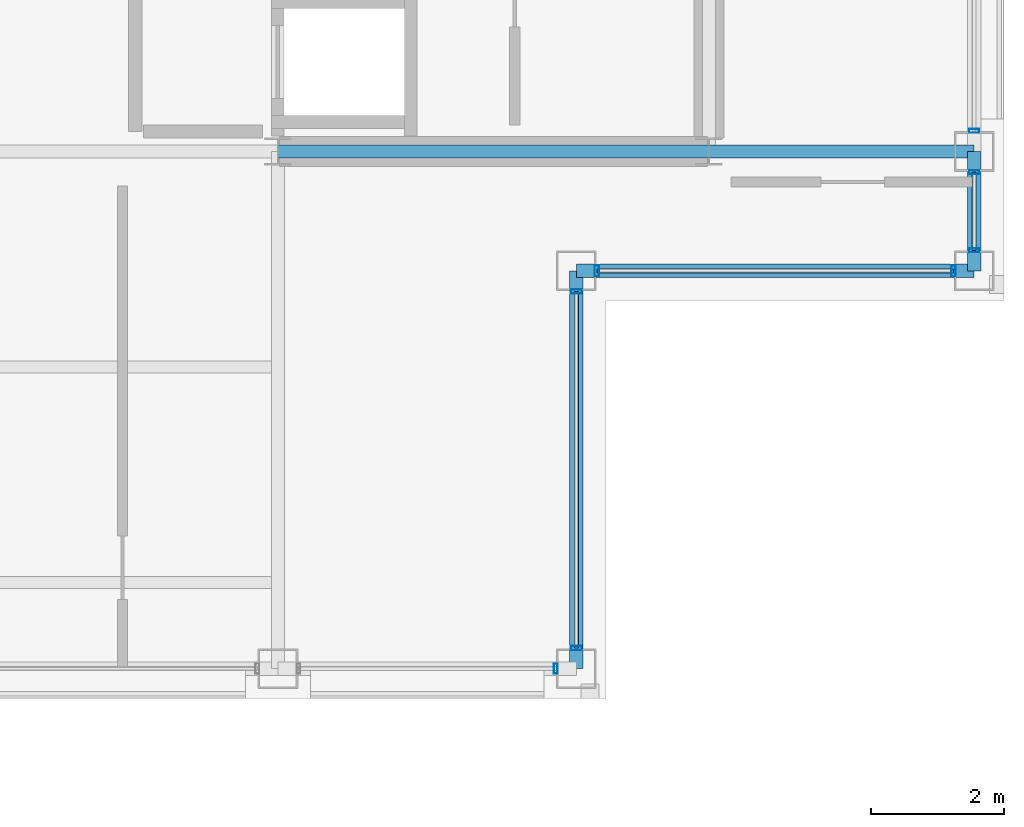
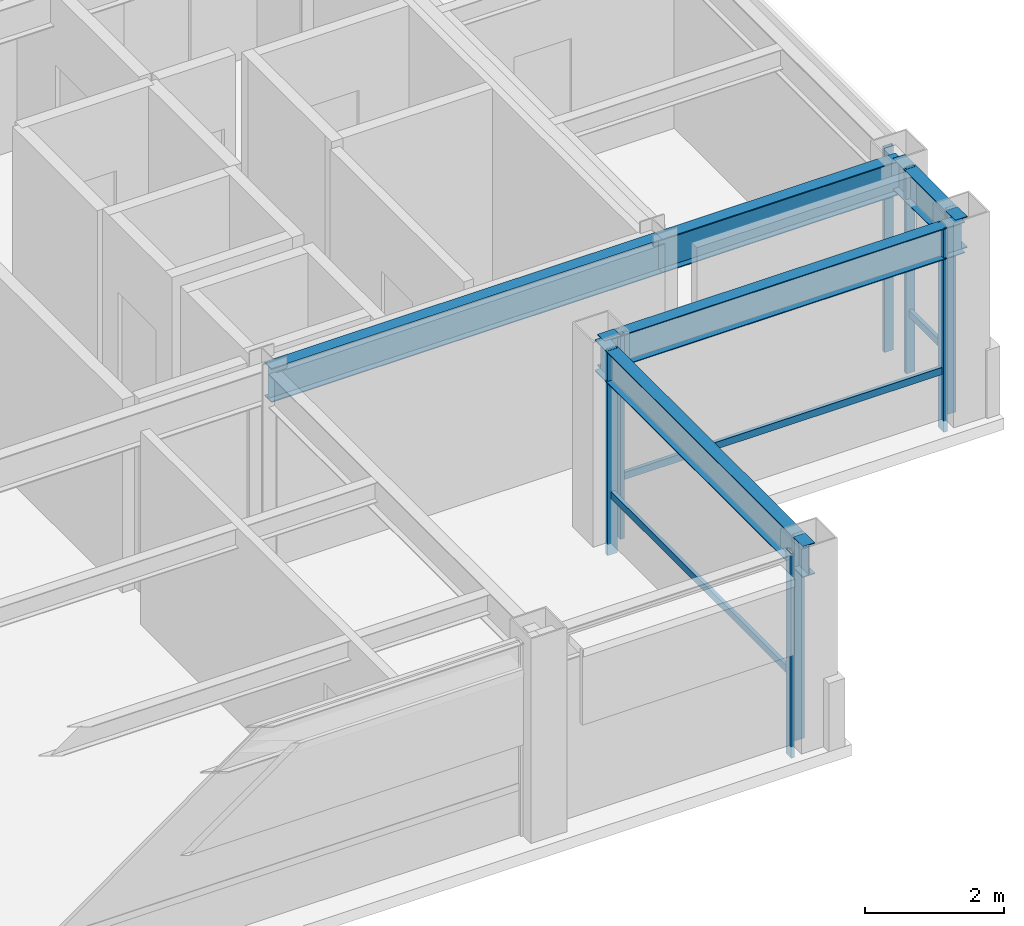
# One storey, part 14 of 27: 11 members, 5 beams, 5 elements without a shape of their own.
"""IFC4 building model written with IfcOpenShell, lengths in metres."""

from ifc_helpers import new_model, si_unit, direction, frame, origin, origin_2d, place, context, subcontext, project, spatial, hollow_rectangle, i_section, extrude, material, layer, layer_set, material_profile, profile_set, type_object, element, aggregate, save


model = new_model("IFC4")

# Units and contexts
model_context = context("Model", 3, precision=1e-05, world=origin(), true_north=direction((0.0, 1.0)))
body_context = subcontext(model_context, "Body", "Model", "MODEL_VIEW")
ifc_project = project(units=[si_unit("LENGTHUNIT", "METRE"), si_unit("AREAUNIT", "SQUARE_METRE"), si_unit("VOLUMEUNIT", "CUBIC_METRE"), si_unit("PLANEANGLEUNIT", "RADIAN"), si_unit("MASSUNIT", "GRAM", prefix="KILO")], contexts=[model_context])

# Site, building, storey
site_placement = place(None, origin())
site = spatial("IfcSite", under=ifc_project, at=site_placement, CompositionType="ELEMENT")
building_placement = place(site_placement, origin())
building = spatial("IfcBuilding", under=site, at=building_placement, Name="Brelmoor Portico Tower", CompositionType="ELEMENT")
storey_placement = place(building_placement, frame((0.0, 0.0, 250.800048828125)))
storey = spatial("IfcBuildingStorey", under=building, at=storey_placement, Name="L66", CompositionType="ELEMENT", Elevation=250.800048828125)

# Beams
ifc_material_1 = material(Name="Steel Q355B", Category="steel")
ifc_material_profile_1 = material_profile(ifc_material_1, i_section(OverallWidth=0.199951171875, OverallDepth=0.60009765625, WebThickness=0.010986328125, FlangeThickness=0.01708984375, at=origin_2d()), Name="HN 600x200x11x17")
ifc_profile_set_1 = profile_set([ifc_material_profile_1], Name="Steel Q355B")
beam_type_1 = type_object("IfcBeamType", Name="BM-PG-600", PredefinedType="BEAM", material=ifc_profile_set_1)
beam_1_placement = place(storey_placement, frame((8.050048828125, -9.75, 3.099853515625), z_axis=(1.0, 0.0, 0.0), x_axis=(0.0, 1.0, 0.0)))
element("IfcBeam", 1, at=beam_1_placement, inside=storey, type_object=beam_type_1, Name="L66 Primary Floor Girder PG-14", PredefinedType="BEAM", context=body_context, shape_type="SweptSolid", body=[
    extrude(i_section(OverallWidth=0.199951171875, OverallDepth=0.60009765625, WebThickness=0.010986328125, FlangeThickness=0.01708984375, at=origin_2d()), origin(), (0.0, 0.0, 1.0), 6.5),
])
beam_2_placement = place(storey_placement, frame((14.550048828125, -9.75, 3.099853515625), z_axis=(1.0, 0.0, 0.0), x_axis=(0.0, 1.0, 0.0)))
element("IfcBeam", 2, at=beam_2_placement, inside=storey, type_object=beam_type_1, Name="L66 Primary Floor Girder PG-15", PredefinedType="BEAM", context=body_context, shape_type="SweptSolid", body=[
    extrude(i_section(OverallWidth=0.199951171875, OverallDepth=0.60009765625, WebThickness=0.010986328125, FlangeThickness=0.01708984375, at=origin_2d()), origin(), (0.0, 0.0, 1.0), 4.0),
])
ifc_material_profile_2 = material_profile(ifc_material_1, i_section(OverallWidth=0.199951171875, OverallDepth=0.550048828125, WebThickness=0.010009765625, FlangeThickness=0.01611328125, at=origin_2d()), Name="HN 550x200x10x16")
ifc_profile_set_2 = profile_set([ifc_material_profile_2], Name="Steel Q355B")
beam_type_2 = type_object("IfcBeamType", Name="BM-SP-550", PredefinedType="SPANDREL", material=ifc_profile_set_2)
for number, where, z_axis, x_axis, name in (
    (3, (12.550048828125, -11.550048828125, 3.125), (1.0, 0.0, 0.0), (0.0, 1.0, 0.0), "L66 Perimeter Spandrel Beam SP-05"),
    (4, (12.550048828125, -17.550048828125, 3.125), (0.0, 1.0, 0.0), (-1.0, 0.0, 0.0), "L66 Perimeter Spandrel Beam SP-16"),
):
    element("IfcBeam", number, at=place(storey_placement, frame(where, z_axis=z_axis, x_axis=x_axis)), inside=storey, type_object=beam_type_2, Name=name, PredefinedType="SPANDREL", context=body_context, shape_type="SweptSolid", body=[
        extrude(i_section(OverallWidth=0.199951171875, OverallDepth=0.550048828125, WebThickness=0.010009765625, FlangeThickness=0.01611328125, at=origin_2d()), origin(), (0.0, 0.0, 1.0), 6.0),
    ])
beam_3_placement = place(storey_placement, frame((18.550048828125, -11.550048828125, 3.125), z_axis=(0.0, 1.0, 0.0), x_axis=(-1.0, 0.0, 0.0)))
element("IfcBeam", 5, at=beam_3_placement, inside=storey, type_object=beam_type_2, Name="L66 Perimeter Spandrel Beam SP-18", PredefinedType="SPANDREL", context=body_context, shape_type="SweptSolid", body=[
    extrude(i_section(OverallWidth=0.199951171875, OverallDepth=0.550048828125, WebThickness=0.010009765625, FlangeThickness=0.01611328125, at=origin_2d()), origin(), (0.0, 0.0, 1.0), 1.800048828125),
])

# Curtain wall, member
ifc_material_2 = material(Name="Anodised Aluminium Alloy 6063-T6", Category="aluminium")
ifc_layer_1 = layer(ifc_material_2, 0.179931640625)
ifc_layer_set_1 = layer_set([ifc_layer_1], Name="Anodised Aluminium Alloy 6063-T6")
curtain_wall_type_1 = type_object("IfcCurtainWallType", Name="CW-TOWER-Z4-XB", PredefinedType="NOTDEFINED", material=ifc_layer_set_1)
curtain_wall_1_placement = place(storey_placement, origin())
curtain_wall_1 = element("IfcCurtainWall", 6, at=curtain_wall_1_placement, inside=storey, type_object=curtain_wall_type_1, Name="L66 Curtain Wall CW-L66-1R-2", PredefinedType="NOTDEFINED")
ifc_material_profile_3 = material_profile(ifc_material_2, hollow_rectangle(XDim=0.06005859375, YDim=0.14990234375, WallThickness=0.00390625, at=origin_2d()), Name="ALU MULLION 60x150")
ifc_profile_set_3 = profile_set([ifc_material_profile_3], Name="Anodised Aluminium Alloy 6063-T6")
member_type_1 = type_object("IfcMemberType", Name="MB-CW-MULL-150", PredefinedType="MULLION", material=ifc_profile_set_3)
member_1_placement = place(storey_placement, frame((12.239990234375, -17.550048828125, -0.199951171875), z_axis=(0.0, 0.0, 1.0), x_axis=(1.0, 0.0, 0.0)))
member_1 = element("IfcMember", 7, at=member_1_placement, type_object=member_type_1, Name="CW-L66-1R-2 Mullion 01", PredefinedType="MULLION", context=body_context, shape_type="SweptSolid", body=[
    extrude(hollow_rectangle(XDim=0.06005859375, YDim=0.14990234375, WallThickness=0.00390625, at=origin_2d()), origin(), (0.0, 0.0, 1.0), 3.599853515625),
])
aggregate(curtain_wall_1, [member_1])

# Curtain wall, members
ifc_layer_2 = layer(ifc_material_2, 0.179931640625)
ifc_layer_set_2 = layer_set([ifc_layer_2], Name="Anodised Aluminium Alloy 6063-T6")
curtain_wall_type_2 = type_object("IfcCurtainWallType", Name="CW-TOWER-Z4", PredefinedType="NOTDEFINED", material=ifc_layer_set_2)
curtain_wall_2_placement = place(storey_placement, origin())
curtain_wall_2 = element("IfcCurtainWall", 8, at=curtain_wall_2_placement, inside=storey, type_object=curtain_wall_type_2, Name="L66 Curtain Wall CW-L66-04-1", PredefinedType="NOTDEFINED")
member_2_placement = place(storey_placement, frame((18.550048828125, -11.239990234375, -0.199951171875), z_axis=(0.0, 0.0, 1.0), x_axis=(0.0, 1.0, 0.0)))
member_2 = element("IfcMember", 9, at=member_2_placement, type_object=member_type_1, Name="CW-L66-04-1 Mullion 00", PredefinedType="MULLION", context=body_context, shape_type="SweptSolid", body=[
    extrude(hollow_rectangle(XDim=0.06005859375, YDim=0.14990234375, WallThickness=0.00390625, at=origin_2d()), origin(), (0.0, 0.0, 1.0), 3.599853515625),
])
member_3_placement = place(storey_placement, frame((18.550048828125, -10.06005859375, -0.199951171875), z_axis=(0.0, 0.0, 1.0), x_axis=(0.0, 1.0, 0.0)))
member_3 = element("IfcMember", 10, at=member_3_placement, type_object=member_type_1, Name="CW-L66-04-1 Mullion 01", PredefinedType="MULLION", context=body_context, shape_type="SweptSolid", body=[
    extrude(hollow_rectangle(XDim=0.06005859375, YDim=0.14990234375, WallThickness=0.00390625, at=origin_2d()), origin(), (0.0, 0.0, 1.0), 3.599853515625),
])

# Curtain wall, member
curtain_wall_3_placement = place(storey_placement, origin())
curtain_wall_3 = element("IfcCurtainWall", 11, at=curtain_wall_3_placement, inside=storey, type_object=curtain_wall_type_1, Name="L66 Curtain Wall CW-L66-04-2", PredefinedType="NOTDEFINED")
member_4_placement = place(storey_placement, frame((18.550048828125, -9.43994140625, -0.199951171875), z_axis=(0.0, 0.0, 1.0), x_axis=(0.0, 1.0, 0.0)))
member_4 = element("IfcMember", 12, at=member_4_placement, type_object=member_type_1, Name="CW-L66-04-2 Mullion 00", PredefinedType="MULLION", context=body_context, shape_type="SweptSolid", body=[
    extrude(hollow_rectangle(XDim=0.06005859375, YDim=0.14990234375, WallThickness=0.00390625, at=origin_2d()), origin(), (0.0, 0.0, 1.0), 3.599853515625),
])
aggregate(curtain_wall_3, [member_4])

# Curtain wall, members
ifc_layer_3 = layer(ifc_material_2, 0.179931640625)
ifc_layer_set_3 = layer_set([ifc_layer_3], Name="Anodised Aluminium Alloy 6063-T6")
curtain_wall_type_3 = type_object("IfcCurtainWallType", Name="CW-NOTCH-CHAMFER", PredefinedType="NOTDEFINED", material=ifc_layer_set_3)
curtain_wall_4_placement = place(storey_placement, origin())
curtain_wall_4 = element("IfcCurtainWall", 13, at=curtain_wall_4_placement, inside=storey, type_object=curtain_wall_type_3, Name="L66 Curtain Wall CWN-L66-SEH", PredefinedType="NOTDEFINED")
ifc_material_profile_4 = material_profile(ifc_material_2, hollow_rectangle(XDim=0.06494140625, YDim=0.1650390625, WallThickness=0.00390625, at=origin_2d()), Name="ALU MULLION 65x165")
ifc_profile_set_4 = profile_set([ifc_material_profile_4], Name="Anodised Aluminium Alloy 6063-T6")
member_type_2 = type_object("IfcMemberType", Name="MB-CW-MULL-165", PredefinedType="MULLION", material=ifc_profile_set_4)
member_5_placement = place(storey_placement, frame((12.860107421875, -11.550048828125, -0.199951171875), z_axis=(0.0, 0.0, 1.0), x_axis=(1.0, 0.0, 0.0)))
member_5 = element("IfcMember", 14, at=member_5_placement, type_object=member_type_2, Name="CWN-L66-SEH Mullion 00", PredefinedType="MULLION", context=body_context, shape_type="SweptSolid", body=[
    extrude(hollow_rectangle(XDim=0.06494140625, YDim=0.1650390625, WallThickness=0.00390625, at=origin_2d()), origin(), (0.0, 0.0, 1.0), 3.599853515625),
])
member_6_placement = place(storey_placement, frame((18.239990234375, -11.550048828125, -0.199951171875), z_axis=(0.0, 0.0, 1.0), x_axis=(1.0, 0.0, 0.0)))
member_6 = element("IfcMember", 15, at=member_6_placement, type_object=member_type_2, Name="CWN-L66-SEH Mullion 01", PredefinedType="MULLION", context=body_context, shape_type="SweptSolid", body=[
    extrude(hollow_rectangle(XDim=0.06494140625, YDim=0.1650390625, WallThickness=0.00390625, at=origin_2d()), origin(), (0.0, 0.0, 1.0), 3.599853515625),
])

curtain_wall_5_placement = place(storey_placement, origin())
curtain_wall_5 = element("IfcCurtainWall", 16, at=curtain_wall_5_placement, inside=storey, type_object=curtain_wall_type_3, Name="L66 Curtain Wall CWN-L66-SEV", PredefinedType="NOTDEFINED")
member_7_placement = place(storey_placement, frame((12.550048828125, -17.239990234375, -0.199951171875), z_axis=(0.0, 0.0, 1.0), x_axis=(0.0, 1.0, 0.0)))
member_7 = element("IfcMember", 17, at=member_7_placement, type_object=member_type_2, Name="CWN-L66-SEV Mullion 00", PredefinedType="MULLION", context=body_context, shape_type="SweptSolid", body=[
    extrude(hollow_rectangle(XDim=0.06494140625, YDim=0.1650390625, WallThickness=0.00390625, at=origin_2d()), origin(), (0.0, 0.0, 1.0), 3.599853515625),
])
member_8_placement = place(storey_placement, frame((12.550048828125, -11.860107421875, -0.199951171875), z_axis=(0.0, 0.0, 1.0), x_axis=(0.0, 1.0, 0.0)))
member_8 = element("IfcMember", 18, at=member_8_placement, type_object=member_type_2, Name="CWN-L66-SEV Mullion 01", PredefinedType="MULLION", context=body_context, shape_type="SweptSolid", body=[
    extrude(hollow_rectangle(XDim=0.06494140625, YDim=0.1650390625, WallThickness=0.00390625, at=origin_2d()), origin(), (0.0, 0.0, 1.0), 3.599853515625),
])

# Member
ifc_material_profile_5 = material_profile(ifc_material_2, hollow_rectangle(XDim=0.06005859375, YDim=0.125, WallThickness=0.00341796875, at=origin_2d()), Name="ALU TRANSOM 60x125")
ifc_profile_set_5 = profile_set([ifc_material_profile_5], Name="Anodised Aluminium Alloy 6063-T6")
member_type_3 = type_object("IfcMemberType", Name="MB-CW-TRAN-125", PredefinedType="USERDEFINED", material=ifc_profile_set_5)
member_9_placement = place(storey_placement, frame((18.550048828125, -11.239990234375, 0.849853515625), z_axis=(0.0, 1.0, 0.0), x_axis=(-1.0, 0.0, 0.0)))
member_9 = element("IfcMember", 19, at=member_9_placement, type_object=member_type_3, Name="CW-L66-04-1 Transom 1-00", ObjectType="TRANSOM", PredefinedType="USERDEFINED", context=body_context, shape_type="SweptSolid", body=[
    extrude(hollow_rectangle(XDim=0.06005859375, YDim=0.125, WallThickness=0.00341796875, at=origin_2d()), origin(), (0.0, 0.0, 1.0), 1.179931640625),
])

aggregate(curtain_wall_2, [member_2, member_3, member_9])

member_10_placement = place(storey_placement, frame((12.860107421875, -11.550048828125, 0.849853515625), z_axis=(1.0, 0.0, 0.0), x_axis=(0.0, 1.0, 0.0)))
member_10 = element("IfcMember", 20, at=member_10_placement, type_object=member_type_3, Name="CWN-L66-SEH Transom 1-00", ObjectType="TRANSOM", PredefinedType="USERDEFINED", context=body_context, shape_type="SweptSolid", body=[
    extrude(hollow_rectangle(XDim=0.06005859375, YDim=0.125, WallThickness=0.00341796875, at=origin_2d()), origin(), (0.0, 0.0, 1.0), 5.3798828125),
])

aggregate(curtain_wall_4, [member_5, member_6, member_10])

member_11_placement = place(storey_placement, frame((12.550048828125, -17.239990234375, 0.849853515625), z_axis=(0.0, 1.0, 0.0), x_axis=(-1.0, 0.0, 0.0)))
member_11 = element("IfcMember", 21, at=member_11_placement, type_object=member_type_3, Name="CWN-L66-SEV Transom 1-00", ObjectType="TRANSOM", PredefinedType="USERDEFINED", context=body_context, shape_type="SweptSolid", body=[
    extrude(hollow_rectangle(XDim=0.06005859375, YDim=0.125, WallThickness=0.00341796875, at=origin_2d()), origin(), (0.0, 0.0, 1.0), 5.3798828125),
])

aggregate(curtain_wall_5, [member_7, member_8, member_11])

save(model, "model.ifc")
